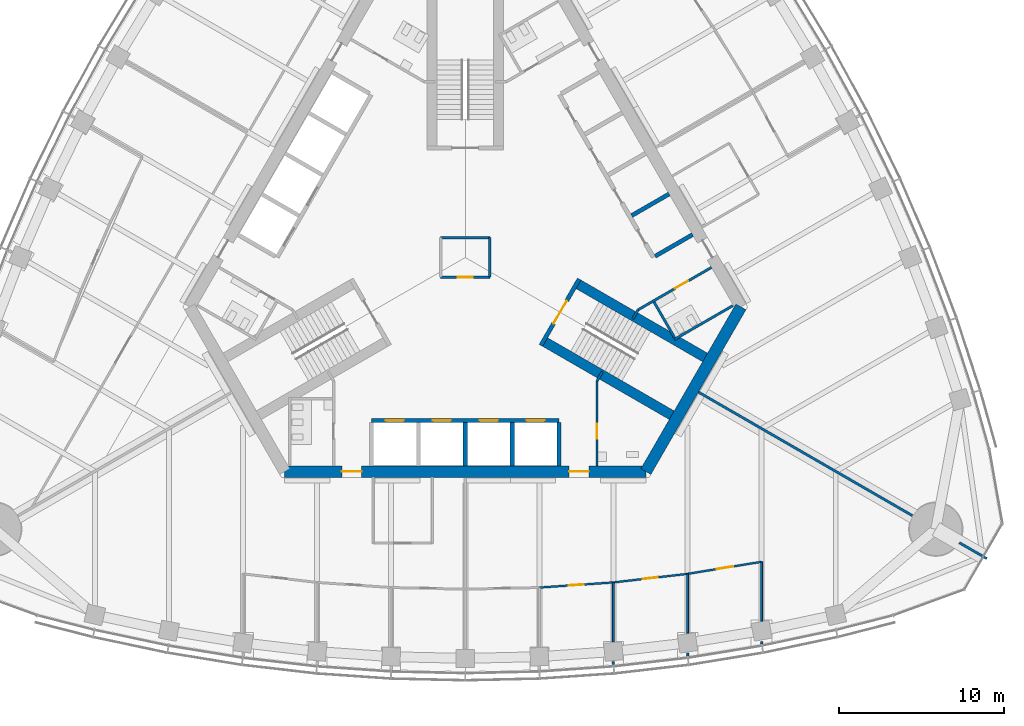
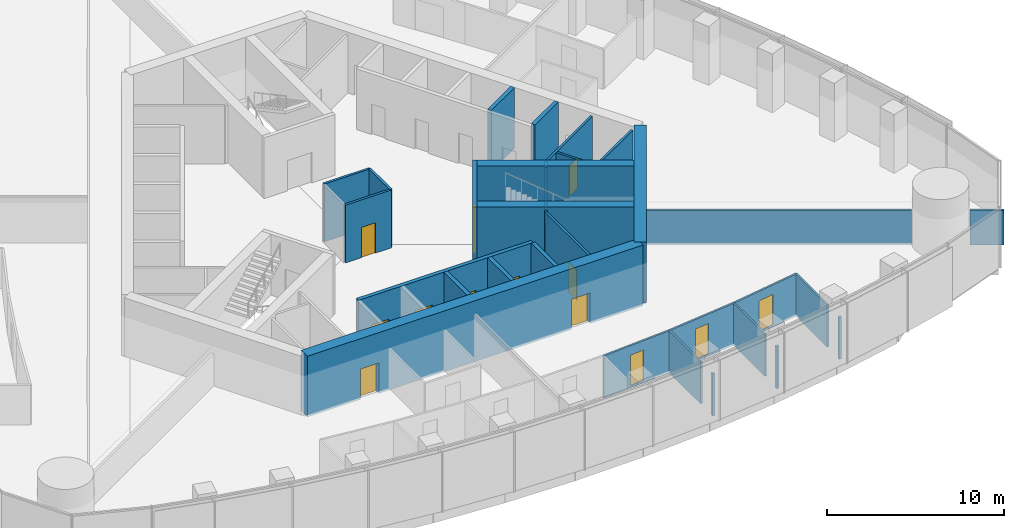
# One storey, part 12 of 19: 31 walls, 13 doors, 13 openings.
"""IFC4 building model written with IfcOpenShell, lengths in metres."""

from ifc_helpers import new_model, si_unit, direction, frame, frame_2d, origin, place, context, subcontext, project, spatial, rectangle, extrude, material, layer, layer_set, type_object, element, fill, save


model = new_model("IFC4")

# Units and contexts
model_context = context("Model", 3, precision=1e-05, world=origin(), true_north=direction((0.0, 1.0)))
body_context = subcontext(model_context, "Body", "Model", "MODEL_VIEW")
ifc_project = project(units=[si_unit("LENGTHUNIT", "METRE"), si_unit("AREAUNIT", "SQUARE_METRE"), si_unit("VOLUMEUNIT", "CUBIC_METRE"), si_unit("PLANEANGLEUNIT", "RADIAN"), si_unit("MASSUNIT", "GRAM", prefix="KILO")], contexts=[model_context])

# Site, building, storey
site_placement = place(None, origin())
site = spatial("IfcSite", under=ifc_project, at=site_placement, CompositionType="ELEMENT")
building_placement = place(site_placement, origin())
building = spatial("IfcBuilding", under=site, at=building_placement, Name="Trefoil Bronze Tower", CompositionType="ELEMENT")
storey_placement = place(building_placement, frame((0.0, 0.0, 223.300048828125)))
storey = spatial("IfcBuildingStorey", under=building, at=storey_placement, Name="L51", CompositionType="ELEMENT", Elevation=223.300048828125)

# Wall, openings, doors
ifc_material_1 = material(Name="Concrete B80", Category="concrete")
ifc_layer_1 = layer(ifc_material_1, 0.699951171875)
ifc_layer_set_1 = layer_set([ifc_layer_1], Name="Core wall 700")
wall_type_1 = type_object("IfcWallType", Name="Core wall 700", PredefinedType="SHEAR", material=ifc_layer_set_1)
wall_1_placement = place(storey_placement, frame((-10.9697265625, -13.0, 0.0), z_axis=(0.0, 0.0, 1.0), x_axis=(1.0, 0.0, 0.0)))
wall_1 = element("IfcWall", 1, at=wall_1_placement, inside=storey, type_object=wall_type_1, Name="Core long wall 1 L51", PredefinedType="SHEAR", context=body_context, shape_type="SweptSolid", body=[
    extrude(rectangle(XDim=21.939453125, YDim=0.699951171875, at=frame_2d((10.9697265625, 0.0))), origin(), (0.0, 0.0, 1.0), 4.199951171875),
])
opening_1_placement = place(wall_1_placement, frame((17.269775390625, 0.0, 0.0)))
opening_1 = element("IfcOpeningElement", 2, at=opening_1_placement, cuts=wall_1, Name="Opening D2", PredefinedType="OPENING", context=body_context, shape_type="SweptSolid", body=[
    extrude(rectangle(XDim=1.199951171875, YDim=2.10009765625, at=frame_2d((0.60009765625, 1.050048828125))), frame((0.0, 0.35986328125, 0.0), z_axis=(0.0, -1.0, 0.0), x_axis=(1.0, 0.0, 0.0)), (0.0, 0.0, 1.0), 0.719970703125),
])
opening_2_placement = place(wall_1_placement, frame((3.4697265625, 0.0, 0.0)))
opening_2 = element("IfcOpeningElement", 3, at=opening_2_placement, cuts=wall_1, Name="Opening D2", PredefinedType="OPENING", context=body_context, shape_type="SweptSolid", body=[
    extrude(rectangle(XDim=1.199951171875, YDim=2.10009765625, at=frame_2d((0.60009765625, 1.050048828125))), frame((0.0, 0.35986328125, 0.0), z_axis=(0.0, -1.0, 0.0), x_axis=(1.0, 0.0, 0.0)), (0.0, 0.0, 1.0), 0.719970703125),
])
ifc_material_2 = material(Name="Steel door", Category="steel")
door_type_1 = type_object("IfcDoorType", Name="Lobby door 1200", OperationType="SINGLE_SWING_RIGHT", PredefinedType="DOOR", material=ifc_material_2)
door_1_placement = place(opening_1_placement, origin())
door_1 = element("IfcDoor", 4, at=door_1_placement, inside=storey, type_object=door_type_1, Name="Lobby door F1+ L51", OperationType="SINGLE_SWING_RIGHT", OverallHeight=2.10009765625, OverallWidth=1.199951171875, PredefinedType="DOOR", context=body_context, shape_type="SweptSolid", body=[
    extrude(rectangle(XDim=1.199951171875, YDim=2.10009765625, at=frame_2d((0.60009765625, 1.050048828125))), frame((0.0, 0.02490234375, 0.0), z_axis=(0.0, -1.0, 0.0), x_axis=(1.0, 0.0, 0.0)), (0.0, 0.0, 1.0), 0.050048828125),
])
fill(opening_1, door_1)
door_2_placement = place(opening_2_placement, origin())
door_2 = element("IfcDoor", 5, at=door_2_placement, inside=storey, type_object=door_type_1, Name="Lobby door F1- L51", OperationType="SINGLE_SWING_LEFT", OverallHeight=2.10009765625, OverallWidth=1.199951171875, PredefinedType="DOOR", context=body_context, shape_type="SweptSolid", body=[
    extrude(rectangle(XDim=1.199951171875, YDim=2.10009765625, at=frame_2d((0.60009765625, 1.050048828125))), frame((0.0, 0.02490234375, 0.0), z_axis=(0.0, -1.0, 0.0), x_axis=(1.0, 0.0, 0.0)), (0.0, 0.0, 1.0), 0.050048828125),
])
fill(opening_2, door_2)

# Wall
wall_2_placement = place(storey_placement, frame((10.9697265625, -13.0, 0.0), z_axis=(0.0, 0.0, 1.0), x_axis=(0.499995765644, 0.866027848477, 0.0)))
element("IfcWall", 6, at=wall_2_placement, inside=storey, type_object=wall_type_1, Name="Core short wall 1 L51", PredefinedType="SHEAR", context=body_context, shape_type="SweptSolid", body=[
    extrude(rectangle(XDim=11.546875, YDim=0.699951171875, at=frame_2d((5.7734375, 0.0))), origin(), (0.0, 0.0, 1.0), 4.199951171875),
])

# Wall, opening, door
ifc_material_3 = material(Name="Glazed partition", Category="glass")
ifc_layer_2 = layer(ifc_material_3, 0.1201171875)
ifc_layer_set_2 = layer_set([ifc_layer_2], Name="Glazed partition 120")
wall_type_2 = type_object("IfcWallType", Name="Glazed partition 120", PredefinedType="PARTITIONING", material=ifc_layer_set_2)
wall_3_placement = place(storey_placement, frame((13.5, -19.216064453125, 0.0), z_axis=(0.0, 0.0, 1.0), x_axis=(0.986986525477, 0.160802980469, 0.0)))
wall_3 = element("IfcWall", 7, at=wall_3_placement, inside=storey, type_object=wall_type_2, Name="Partition F1 L51", PredefinedType="PARTITIONING", context=body_context, shape_type="SweptSolid", body=[
    extrude(rectangle(XDim=4.559326171875, YDim=0.1201171875, at=frame_2d((2.27978515625, 0.0))), origin(), (0.0, 0.0, 1.0), 2.89990234375),
])
opening_3_placement = place(wall_3_placement, frame((1.800048828125, 0.0, 0.14990234375)))
opening_3 = element("IfcOpeningElement", 8, at=opening_3_placement, cuts=wall_3, Name="Opening D9", PredefinedType="OPENING", context=body_context, shape_type="SweptSolid", body=[
    extrude(rectangle(XDim=1.0, YDim=2.10009765625, at=frame_2d((0.5, 1.050048828125))), frame((0.0, 0.070068359375, 0.0), z_axis=(0.0, -1.0, 0.0), x_axis=(1.0, 0.0, 0.0)), (0.0, 0.0, 1.0), 0.14013671875),
])
ifc_material_4 = material(Name="Glazed timber door", Category="wood")
door_type_2 = type_object("IfcDoorType", Name="Meeting room door 1000", OperationType="SINGLE_SWING_LEFT", PredefinedType="DOOR", material=ifc_material_4)
door_3_placement = place(opening_3_placement, frame((1.0, 0.0, 0.0), z_axis=(0.0, 0.0, 1.0), x_axis=(-1.0, 0.0, 0.0)))
door_3 = element("IfcDoor", 9, at=door_3_placement, inside=storey, type_object=door_type_2, Name="Meeting room door F1 L51", OperationType="SINGLE_SWING_LEFT", OverallHeight=2.10009765625, OverallWidth=1.0, PredefinedType="DOOR", context=body_context, shape_type="SweptSolid", body=[
    extrude(rectangle(XDim=1.0, YDim=2.10009765625, at=frame_2d((0.5, 1.050048828125))), frame((0.0, 0.02490234375, 0.0), z_axis=(0.0, -1.0, 0.0), x_axis=(1.0, 0.0, 0.0)), (0.0, 0.0, 1.0), 0.050048828125),
])
fill(opening_3, door_3)

wall_4_placement = place(storey_placement, frame((4.5, -20.047119140625, 0.0), z_axis=(0.0, 0.0, 1.0), x_axis=(0.997623533978, 0.068900540297, 0.0)))
wall_4 = element("IfcWall", 10, at=wall_4_placement, inside=storey, type_object=wall_type_2, Name="Partition F1 L51", PredefinedType="PARTITIONING", context=body_context, shape_type="SweptSolid", body=[
    extrude(rectangle(XDim=4.5107421875, YDim=0.1201171875, at=frame_2d((2.25537109375, 0.0))), origin(), (0.0, 0.0, 1.0), 2.89990234375),
])
opening_4_placement = place(wall_4_placement, frame((1.800048828125, 0.0, 0.14990234375)))
opening_4 = element("IfcOpeningElement", 11, at=opening_4_placement, cuts=wall_4, Name="Opening D8", PredefinedType="OPENING", context=body_context, shape_type="SweptSolid", body=[
    extrude(rectangle(XDim=0.89990234375, YDim=2.10009765625, at=frame_2d((0.449951171875, 1.050048828125))), frame((0.0, 0.070068359375, 0.0), z_axis=(0.0, -1.0, 0.0), x_axis=(1.0, 0.0, 0.0)), (0.0, 0.0, 1.0), 0.14013671875),
])
ifc_material_5 = material(Name="Timber door", Category="wood")
door_type_3 = type_object("IfcDoorType", Name="Office door 900", OperationType="SINGLE_SWING_LEFT", PredefinedType="DOOR", material=ifc_material_5)
door_4_placement = place(opening_4_placement, frame((0.89990234375, 0.0, 0.0), z_axis=(0.0, 0.0, 1.0), x_axis=(-1.0, 0.0, 0.0)))
door_4 = element("IfcDoor", 12, at=door_4_placement, inside=storey, type_object=door_type_3, Name="Office door F1 L51", OperationType="SINGLE_SWING_RIGHT", OverallHeight=2.10009765625, OverallWidth=0.89990234375, PredefinedType="DOOR", context=body_context, shape_type="SweptSolid", body=[
    extrude(rectangle(XDim=0.89990234375, YDim=2.10009765625, at=frame_2d((0.449951171875, 1.050048828125))), frame((0.0, 0.02490234375, 0.0), z_axis=(0.0, -1.0, 0.0), x_axis=(1.0, 0.0, 0.0)), (0.0, 0.0, 1.0), 0.050048828125),
])
fill(opening_4, door_4)

wall_5_placement = place(storey_placement, frame((9.0, -19.736328125, 0.0), z_axis=(0.0, 0.0, 1.0), x_axis=(0.993382946625, 0.114849124309, 0.0)))
wall_5 = element("IfcWall", 13, at=wall_5_placement, inside=storey, type_object=wall_type_2, Name="Partition F1 L51", PredefinedType="PARTITIONING", context=body_context, shape_type="SweptSolid", body=[
    extrude(rectangle(XDim=4.530029296875, YDim=0.1201171875, at=frame_2d((2.26513671875, 0.0))), origin(), (0.0, 0.0, 1.0), 2.89990234375),
])
opening_5_placement = place(wall_5_placement, frame((1.800048828125, 0.0, 0.14990234375)))
opening_5 = element("IfcOpeningElement", 14, at=opening_5_placement, cuts=wall_5, Name="Opening D8", PredefinedType="OPENING", context=body_context, shape_type="SweptSolid", body=[
    extrude(rectangle(XDim=0.89990234375, YDim=2.10009765625, at=frame_2d((0.449951171875, 1.050048828125))), frame((0.0, 0.070068359375, 0.0), z_axis=(0.0, -1.0, 0.0), x_axis=(1.0, 0.0, 0.0)), (0.0, 0.0, 1.0), 0.14013671875),
])
door_5_placement = place(opening_5_placement, frame((0.89990234375, 0.0, 0.0), z_axis=(0.0, 0.0, 1.0), x_axis=(-1.0, 0.0, 0.0)))
door_5 = element("IfcDoor", 15, at=door_5_placement, inside=storey, type_object=door_type_3, Name="Office door F1 L51", OperationType="SINGLE_SWING_RIGHT", OverallHeight=2.10009765625, OverallWidth=0.89990234375, PredefinedType="DOOR", context=body_context, shape_type="SweptSolid", body=[
    extrude(rectangle(XDim=0.89990234375, YDim=2.10009765625, at=frame_2d((0.449951171875, 1.050048828125))), frame((0.0, 0.02490234375, 0.0), z_axis=(0.0, -1.0, 0.0), x_axis=(1.0, 0.0, 0.0)), (0.0, 0.0, 1.0), 0.050048828125),
])
fill(opening_5, door_5)

# Walls
wall_6_placement = place(storey_placement, frame((13.5, -19.216064453125, 0.0), z_axis=(0.0, 0.0, 1.0), x_axis=(0.0, -1.0, 0.0)))
element("IfcWall", 16, at=wall_6_placement, inside=storey, type_object=wall_type_2, Name="Partition F1 L51", PredefinedType="PARTITIONING", context=body_context, shape_type="SweptSolid", body=[
    extrude(rectangle(XDim=3.606689453125, YDim=0.1201171875, at=frame_2d((1.80322265625, 0.0))), origin(), (0.0, 0.0, 1.0), 2.89990234375),
])
wall_7_placement = place(storey_placement, frame((18.0, -18.48291015625, 0.0), z_axis=(0.0, 0.0, 1.0), x_axis=(0.0, -1.0, 0.0)))
element("IfcWall", 17, at=wall_7_placement, inside=storey, type_object=wall_type_2, Name="Partition F1 L51", PredefinedType="PARTITIONING", context=body_context, shape_type="SweptSolid", body=[
    extrude(rectangle(XDim=3.59619140625, YDim=0.1201171875, at=frame_2d((1.798095703125, 0.0))), origin(), (0.0, 0.0, 1.0), 2.89990234375),
])
wall_8_placement = place(storey_placement, frame((9.0, -19.736328125, 0.0), z_axis=(0.0, 0.0, 1.0), x_axis=(0.0, -1.0, 0.0)))
element("IfcWall", 18, at=wall_8_placement, inside=storey, type_object=wall_type_2, Name="Partition F1 L51", PredefinedType="PARTITIONING", context=body_context, shape_type="SweptSolid", body=[
    extrude(rectangle(XDim=3.6142578125, YDim=0.1201171875, at=frame_2d((1.80712890625, 0.0))), origin(), (0.0, 0.0, 1.0), 2.89990234375),
])

# Wall, opening, door
ifc_material_6 = material(Name="Gypsum board on steel studs", Category="steel")
ifc_layer_3 = layer(ifc_material_6, 0.14990234375)
ifc_layer_set_3 = layer_set([ifc_layer_3], Name="Partition 150")
wall_type_3 = type_object("IfcWallType", Name="Partition 150", PredefinedType="PARTITIONING", material=ifc_layer_set_3)
wall_9_placement = place(storey_placement, frame((8.0, -7.5, 0.0), z_axis=(0.0, 0.0, 1.0), x_axis=(0.0, -1.0, 0.0)))
wall_9 = element("IfcWall", 19, at=wall_9_placement, inside=storey, type_object=wall_type_3, Name="Passage wall F1+ L51", PredefinedType="PARTITIONING", context=body_context, shape_type="SweptSolid", body=[
    extrude(rectangle(XDim=5.14990234375, YDim=0.14990234375, at=frame_2d((2.574951171875, 0.0))), origin(), (0.0, 0.0, 1.0), 4.0),
])
opening_6_placement = place(wall_9_placement, frame((2.60009765625, 0.0, 0.0)))
opening_6 = element("IfcOpeningElement", 20, at=opening_6_placement, cuts=wall_9, Name="Opening D3", PredefinedType="OPENING", context=body_context, shape_type="SweptSolid", body=[
    extrude(rectangle(XDim=0.89990234375, YDim=2.10009765625, at=frame_2d((0.449951171875, 1.050048828125))), frame((0.0, 0.0849609375, 0.0), z_axis=(0.0, -1.0, 0.0), x_axis=(1.0, 0.0, 0.0)), (0.0, 0.0, 1.0), 0.169921875),
])
ifc_material_7 = material(Name="Timber door", Category="wood")
door_type_4 = type_object("IfcDoorType", Name="WC door 900", OperationType="SINGLE_SWING_LEFT", PredefinedType="DOOR", material=ifc_material_7)
door_6_placement = place(opening_6_placement, origin())
door_6 = element("IfcDoor", 21, at=door_6_placement, inside=storey, type_object=door_type_4, Name="Accessible WC door L51", OperationType="SINGLE_SWING_RIGHT", OverallHeight=2.10009765625, OverallWidth=0.89990234375, PredefinedType="DOOR", context=body_context, shape_type="SweptSolid", body=[
    extrude(rectangle(XDim=0.89990234375, YDim=2.10009765625, at=frame_2d((0.449951171875, 1.050048828125))), frame((0.0, 0.02490234375, 0.0), z_axis=(0.0, -1.0, 0.0), x_axis=(1.0, 0.0, 0.0)), (0.0, 0.0, 1.0), 0.050048828125),
])
fill(opening_6, door_6)

wall_10_placement = place(storey_placement, frame((10.4951171875, -3.17822265625, 0.0), z_axis=(0.0, 0.0, 1.0), x_axis=(0.866037967349, 0.499978238636, 0.0)))
wall_10 = element("IfcWall", 22, at=wall_10_placement, inside=storey, type_object=wall_type_3, Name="Passage wall F2- L51", PredefinedType="PARTITIONING", context=body_context, shape_type="SweptSolid", body=[
    extrude(rectangle(XDim=5.150146484375, YDim=0.14990234375, at=frame_2d((2.5751953125, 0.0))), origin(), (0.0, 0.0, 1.0), 4.0),
])
opening_7_placement = place(wall_10_placement, frame((2.60009765625, 0.0, 0.0)))
opening_7 = element("IfcOpeningElement", 23, at=opening_7_placement, cuts=wall_10, Name="Opening D3", PredefinedType="OPENING", context=body_context, shape_type="SweptSolid", body=[
    extrude(rectangle(XDim=0.89990234375, YDim=2.10009765625, at=frame_2d((0.449951171875, 1.050048828125))), frame((0.0, 0.0849609375, 0.0), z_axis=(0.0, -1.0, 0.0), x_axis=(1.0, 0.0, 0.0)), (0.0, 0.0, 1.0), 0.169921875),
])
door_7_placement = place(opening_7_placement, frame((0.89990234375, 0.0, 0.0), z_axis=(0.0, 0.0, 1.0), x_axis=(-1.0, 0.0, 0.0)))
door_7 = element("IfcDoor", 24, at=door_7_placement, inside=storey, type_object=door_type_4, Name="WC (women) door L51", OperationType="SINGLE_SWING_RIGHT", OverallHeight=2.10009765625, OverallWidth=0.89990234375, PredefinedType="DOOR", context=body_context, shape_type="SweptSolid", body=[
    extrude(rectangle(XDim=0.89990234375, YDim=2.10009765625, at=frame_2d((0.449951171875, 1.050048828125))), frame((0.0, 0.02490234375, 0.0), z_axis=(0.0, -1.0, 0.0), x_axis=(1.0, 0.0, 0.0)), (0.0, 0.0, 1.0), 0.050048828125),
])
fill(opening_7, door_7)

# Walls
for number, where, z_axis, x_axis, name in (
    (25, (8.0, -7.5, 0.0), (0.0, 0.0, 1.0), (0.499842556608, 0.866116284689, 0.0), "WC wall ST1-1 L51"),
    (26, (10.4951171875, -3.17822265625, 0.0), (0.0, 0.0, 1.0), (-0.499842556608, -0.866116284689, 0.0), "WC wall ST1+1 L51"),
):
    element("IfcWall", number, at=place(storey_placement, frame(where, z_axis=z_axis, x_axis=x_axis)), inside=storey, type_object=wall_type_3, Name=name, PredefinedType="PARTITIONING", context=body_context, shape_type="SweptSolid", body=[
        extrude(rectangle(XDim=0.645263671875, YDim=0.14990234375, at=frame_2d((0.32275390625, 0.0))), origin(), (0.0, 0.0, 1.0), 4.0),
    ])
wall_11_placement = place(storey_placement, frame((12.691162109375, -4.98193359375, 0.0), z_axis=(0.0, 0.0, 1.0), x_axis=(0.8660249478, 0.500000789788, 0.0)))
element("IfcWall", 27, at=wall_11_placement, inside=storey, type_object=wall_type_3, Name="WC partition WC (women) L51", PredefinedType="PARTITIONING", context=body_context, shape_type="SweptSolid", body=[
    extrude(rectangle(XDim=4.10009765625, YDim=0.14990234375, at=frame_2d((2.050048828125, 0.0))), origin(), (0.0, 0.0, 1.0), 4.0),
])
wall_12_placement = place(storey_placement, frame((11.463623046875, -2.70556640625, 0.0), z_axis=(0.0, 0.0, 1.0), x_axis=(0.50001992892, -0.866013897511, 0.0)))
element("IfcWall", 28, at=wall_12_placement, inside=storey, type_object=wall_type_3, Name="WC partition WC (women) L51", PredefinedType="PARTITIONING", context=body_context, shape_type="SweptSolid", body=[
    extrude(rectangle(XDim=2.51025390625, YDim=0.14990234375, at=frame_2d((1.255126953125, 0.0))), origin(), (0.0, 0.0, 1.0), 4.0),
])
wall_13_placement = place(storey_placement, frame((13.5, -24.032958984375, 0.0), z_axis=(0.0, 0.0, 1.0), x_axis=(0.0, -1.0, 0.0)))
element("IfcWall", 29, at=wall_13_placement, inside=storey, type_object=wall_type_3, Name="Partition F1 L51", PredefinedType="PARTITIONING", context=body_context, shape_type="SweptSolid", body=[
    extrude(rectangle(XDim=0.17822265625, YDim=0.14990234375, at=frame_2d((0.089111328125, 0.0))), origin(), (0.0, 0.0, 1.0), 2.89990234375),
])
wall_14_placement = place(storey_placement, frame((18.0, -23.31494140625, 0.0), z_axis=(0.0, 0.0, 1.0), x_axis=(0.0, -1.0, 0.0)))
element("IfcWall", 30, at=wall_14_placement, inside=storey, type_object=wall_type_3, Name="Partition F1 L51", PredefinedType="PARTITIONING", context=body_context, shape_type="SweptSolid", body=[
    extrude(rectangle(XDim=0.1630859375, YDim=0.14990234375, at=frame_2d((0.08154296875, 0.0))), origin(), (0.0, 0.0, 1.0), 2.89990234375),
])
wall_15_placement = place(storey_placement, frame((9.0, -24.535400390625, 0.0), z_axis=(0.0, 0.0, 1.0), x_axis=(0.0, -1.0, 0.0)))
element("IfcWall", 31, at=wall_15_placement, inside=storey, type_object=wall_type_3, Name="Partition F1 L51", PredefinedType="PARTITIONING", context=body_context, shape_type="SweptSolid", body=[
    extrude(rectangle(XDim=0.196044921875, YDim=0.14990234375, at=frame_2d((0.09814453125, 0.0))), origin(), (0.0, 0.0, 1.0), 2.89990234375),
])
ifc_material_8 = material(Name="Gypsum board on steel studs", Category="steel")
ifc_layer_4 = layer(ifc_material_8, 0.14990234375)
ifc_layer_set_4 = layer_set([ifc_layer_4], Name="Party wall 150")
wall_type_4 = type_object("IfcWallType", Name="Party wall 150", PredefinedType="PARTITIONING", material=ifc_layer_set_4)
wall_16_placement = place(storey_placement, frame((14.159423828125, -8.175048828125, 0.0), z_axis=(0.0, 0.0, 1.0), x_axis=(0.866027028085, -0.499997186618, 0.0)))
element("IfcWall", 32, at=wall_16_placement, inside=storey, type_object=wall_type_4, Name="Party wall K1 L51", PredefinedType="PARTITIONING", context=body_context, shape_type="SweptSolid", body=[
    extrude(rectangle(XDim=15.0, YDim=0.14990234375, at=frame_2d((7.5, 0.0))), origin(), (0.0, 0.0, 1.0), 2.39990234375),
])
wall_17_placement = place(storey_placement, frame((30.0078125, -17.324951171875, 0.0), z_axis=(0.0, 0.0, 1.0), x_axis=(0.866013246922, -0.500021055713, 0.0)))
element("IfcWall", 33, at=wall_17_placement, inside=storey, type_object=wall_type_4, Name="Party wall K1 L51", PredefinedType="PARTITIONING", context=body_context, shape_type="SweptSolid", body=[
    extrude(rectangle(XDim=1.9345703125, YDim=0.14990234375, at=frame_2d((0.96728515625, 0.0))), origin(), (0.0, 0.0, 1.0), 2.39990234375),
])

# Wall, opening, door
ifc_material_9 = material(Name="Gypsum board on steel studs", Category="steel")
ifc_layer_5 = layer(ifc_material_9, 0.14990234375)
ifc_layer_set_5 = layer_set([ifc_layer_5], Name="Riser wall 150")
wall_type_5 = type_object("IfcWallType", Name="Riser wall 150", PredefinedType="PARTITIONING", material=ifc_layer_set_5)
wall_18_placement = place(storey_placement, frame((-1.5, -1.199951171875, 0.0), z_axis=(0.0, 0.0, 1.0), x_axis=(1.0, 0.0, 0.0)))
wall_18 = element("IfcWall", 34, at=wall_18_placement, inside=storey, type_object=wall_type_5, Name="Riser wall L51", PredefinedType="PARTITIONING", context=body_context, shape_type="SweptSolid", body=[
    extrude(rectangle(XDim=3.0, YDim=0.14990234375, at=frame_2d((1.5, 0.0))), origin(), (0.0, 0.0, 1.0), 4.0),
])
opening_8_placement = place(wall_18_placement, frame((1.050048828125, 0.0, 0.0)))
opening_8 = element("IfcOpeningElement", 35, at=opening_8_placement, cuts=wall_18, Name="Opening D4", PredefinedType="OPENING", context=body_context, shape_type="SweptSolid", body=[
    extrude(rectangle(XDim=0.89990234375, YDim=2.10009765625, at=frame_2d((0.449951171875, 1.050048828125))), frame((0.0, 0.0849609375, 0.0), z_axis=(0.0, -1.0, 0.0), x_axis=(1.0, 0.0, 0.0)), (0.0, 0.0, 1.0), 0.169921875),
])
ifc_material_10 = material(Name="Steel door", Category="steel")
door_type_5 = type_object("IfcDoorType", Name="Riser door 900", OperationType="SINGLE_SWING_LEFT", PredefinedType="DOOR", material=ifc_material_10)
door_8_placement = place(opening_8_placement, frame((0.89990234375, 0.0, 0.0), z_axis=(0.0, 0.0, 1.0), x_axis=(-1.0, 0.0, 0.0)))
door_8 = element("IfcDoor", 36, at=door_8_placement, inside=storey, type_object=door_type_5, Name="Riser door L51", OperationType="SINGLE_SWING_LEFT", OverallHeight=2.10009765625, OverallWidth=0.89990234375, PredefinedType="DOOR", context=body_context, shape_type="SweptSolid", body=[
    extrude(rectangle(XDim=0.89990234375, YDim=2.10009765625, at=frame_2d((0.449951171875, 1.050048828125))), frame((0.0, 0.02490234375, 0.0), z_axis=(0.0, -1.0, 0.0), x_axis=(1.0, 0.0, 0.0)), (0.0, 0.0, 1.0), 0.050048828125),
])
fill(opening_8, door_8)

# Walls
wall_19_placement = place(storey_placement, frame((1.5, -1.199951171875, 0.0), z_axis=(0.0, 0.0, 1.0), x_axis=(0.0, 1.0, 0.0)))
element("IfcWall", 37, at=wall_19_placement, inside=storey, type_object=wall_type_5, Name="Riser wall L51", PredefinedType="PARTITIONING", context=body_context, shape_type="SweptSolid", body=[
    extrude(rectangle(XDim=2.39990234375, YDim=0.14990234375, at=frame_2d((1.199951171875, 0.0))), origin(), (0.0, 0.0, 1.0), 4.0),
])
wall_20_placement = place(storey_placement, frame((1.5, 1.199951171875, 0.0), z_axis=(0.0, 0.0, 1.0), x_axis=(-1.0, 0.0, 0.0)))
element("IfcWall", 38, at=wall_20_placement, inside=storey, type_object=wall_type_5, Name="Riser wall L51", PredefinedType="PARTITIONING", context=body_context, shape_type="SweptSolid", body=[
    extrude(rectangle(XDim=3.0, YDim=0.14990234375, at=frame_2d((1.5, 0.0))), origin(), (0.0, 0.0, 1.0), 4.0),
])

# Wall, openings, doors
ifc_material_11 = material(Name="Concrete B80", Category="concrete")
ifc_layer_6 = layer(ifc_material_11, 0.25)
ifc_layer_set_6 = layer_set([ifc_layer_6], Name="Shaft wall 250")
wall_type_6 = type_object("IfcWallType", Name="Shaft wall 250", PredefinedType="SHEAR", material=ifc_layer_set_6)
wall_21_placement = place(storey_placement, frame((-5.699951171875, -9.89990234375, 0.0), z_axis=(0.0, 0.0, 1.0), x_axis=(1.0, 0.0, 0.0)))
wall_21 = element("IfcWall", 39, at=wall_21_placement, inside=storey, type_object=wall_type_6, Name="Lift shaft front wall A L51", PredefinedType="SHEAR", context=body_context, shape_type="SweptSolid", body=[
    extrude(rectangle(XDim=11.39990234375, YDim=0.25, at=frame_2d((5.699951171875, 0.0))), origin(), (0.0, 0.0, 1.0), 4.199951171875),
])
opening_9_placement = place(wall_21_placement, frame((0.875, 0.0, 0.0)))
opening_9 = element("IfcOpeningElement", 40, at=opening_9_placement, cuts=wall_21, Name="Opening LD-P31", PredefinedType="OPENING", context=body_context, shape_type="SweptSolid", body=[
    extrude(rectangle(XDim=1.10009765625, YDim=2.199951171875, at=frame_2d((0.550048828125, 1.10009765625))), frame((0.0, 0.135009765625, 0.0), z_axis=(0.0, -1.0, 0.0), x_axis=(1.0, 0.0, 0.0)), (0.0, 0.0, 1.0), 0.27001953125),
])
opening_10_placement = place(wall_21_placement, frame((3.72509765625, 0.0, 0.0)))
opening_10 = element("IfcOpeningElement", 41, at=opening_10_placement, cuts=wall_21, Name="Opening LD-P32", PredefinedType="OPENING", context=body_context, shape_type="SweptSolid", body=[
    extrude(rectangle(XDim=1.10009765625, YDim=2.199951171875, at=frame_2d((0.550048828125, 1.10009765625))), frame((0.0, 0.135009765625, 0.0), z_axis=(0.0, -1.0, 0.0), x_axis=(1.0, 0.0, 0.0)), (0.0, 0.0, 1.0), 0.27001953125),
])
opening_11_placement = place(wall_21_placement, frame((6.574951171875, 0.0, 0.0)))
opening_11 = element("IfcOpeningElement", 42, at=opening_11_placement, cuts=wall_21, Name="Opening LD-P33", PredefinedType="OPENING", context=body_context, shape_type="SweptSolid", body=[
    extrude(rectangle(XDim=1.10009765625, YDim=2.199951171875, at=frame_2d((0.550048828125, 1.10009765625))), frame((0.0, 0.135009765625, 0.0), z_axis=(0.0, -1.0, 0.0), x_axis=(1.0, 0.0, 0.0)), (0.0, 0.0, 1.0), 0.27001953125),
])
opening_12_placement = place(wall_21_placement, frame((9.425048828125, 0.0, 0.0)))
opening_12 = element("IfcOpeningElement", 43, at=opening_12_placement, cuts=wall_21, Name="Opening LD-P34", PredefinedType="OPENING", context=body_context, shape_type="SweptSolid", body=[
    extrude(rectangle(XDim=1.10009765625, YDim=2.199951171875, at=frame_2d((0.550048828125, 1.10009765625))), frame((0.0, 0.135009765625, 0.0), z_axis=(0.0, -1.0, 0.0), x_axis=(1.0, 0.0, 0.0)), (0.0, 0.0, 1.0), 0.27001953125),
])
ifc_material_12 = material(Name="Steel door", Category="steel")
door_type_6 = type_object("IfcDoorType", Name="Lift landing door 1100", OperationType="DOUBLE_DOOR_SLIDING", PredefinedType="DOOR", material=ifc_material_12)
door_9_placement = place(opening_9_placement, origin())
door_9 = element("IfcDoor", 44, at=door_9_placement, inside=storey, type_object=door_type_6, Name="Lift P31 landing door L51", OperationType="DOUBLE_DOOR_SLIDING", OverallHeight=2.199951171875, OverallWidth=1.10009765625, PredefinedType="DOOR", context=body_context, shape_type="SweptSolid", body=[
    extrude(rectangle(XDim=1.10009765625, YDim=2.199951171875, at=frame_2d((0.550048828125, 1.10009765625))), frame((0.0, 0.02490234375, 0.0), z_axis=(0.0, -1.0, 0.0), x_axis=(1.0, 0.0, 0.0)), (0.0, 0.0, 1.0), 0.050048828125),
])
fill(opening_9, door_9)
door_10_placement = place(opening_10_placement, origin())
door_10 = element("IfcDoor", 45, at=door_10_placement, inside=storey, type_object=door_type_6, Name="Lift P32 landing door L51", OperationType="DOUBLE_DOOR_SLIDING", OverallHeight=2.199951171875, OverallWidth=1.10009765625, PredefinedType="DOOR", context=body_context, shape_type="SweptSolid", body=[
    extrude(rectangle(XDim=1.10009765625, YDim=2.199951171875, at=frame_2d((0.550048828125, 1.10009765625))), frame((0.0, 0.02490234375, 0.0), z_axis=(0.0, -1.0, 0.0), x_axis=(1.0, 0.0, 0.0)), (0.0, 0.0, 1.0), 0.050048828125),
])
fill(opening_10, door_10)
door_11_placement = place(opening_11_placement, origin())
door_11 = element("IfcDoor", 46, at=door_11_placement, inside=storey, type_object=door_type_6, Name="Lift P33 landing door L51", OperationType="DOUBLE_DOOR_SLIDING", OverallHeight=2.199951171875, OverallWidth=1.10009765625, PredefinedType="DOOR", context=body_context, shape_type="SweptSolid", body=[
    extrude(rectangle(XDim=1.10009765625, YDim=2.199951171875, at=frame_2d((0.550048828125, 1.10009765625))), frame((0.0, 0.02490234375, 0.0), z_axis=(0.0, -1.0, 0.0), x_axis=(1.0, 0.0, 0.0)), (0.0, 0.0, 1.0), 0.050048828125),
])
fill(opening_11, door_11)
door_12_placement = place(opening_12_placement, origin())
door_12 = element("IfcDoor", 47, at=door_12_placement, inside=storey, type_object=door_type_6, Name="Lift P34 landing door L51", OperationType="DOUBLE_DOOR_SLIDING", OverallHeight=2.199951171875, OverallWidth=1.10009765625, PredefinedType="DOOR", context=body_context, shape_type="SweptSolid", body=[
    extrude(rectangle(XDim=1.10009765625, YDim=2.199951171875, at=frame_2d((0.550048828125, 1.10009765625))), frame((0.0, 0.02490234375, 0.0), z_axis=(0.0, -1.0, 0.0), x_axis=(1.0, 0.0, 0.0)), (0.0, 0.0, 1.0), 0.050048828125),
])
fill(opening_12, door_12)

# Walls
for number, where, z_axis, x_axis, name in (
    (48, (0.0, -10.02490234375, 0.0), (0.0, 0.0, 1.0), (0.0, -1.0, 0.0), "Lift shaft side wall A2 L51"),
    (49, (2.85009765625, -10.02490234375, 0.0), (0.0, 0.0, 1.0), (0.0, -1.0, 0.0), "Lift shaft side wall A3 L51"),
    (50, (5.699951171875, -10.02490234375, 0.0), (0.0, 0.0, 1.0), (0.0, -1.0, 0.0), "Lift shaft side wall A4 L51"),
    (51, (11.531982421875, 0.076171875, 0.0), (0.0, 0.0, 1.0), (0.866013657776, 0.500020344131, 0.0), "Lift shaft side wall B0 L51"),
    (52, (10.10693359375, 2.54443359375, 0.0), (0.0, 0.0, 1.0), (0.866013657776, 0.500020344131, 0.0), "Lift shaft side wall B1 L51"),
):
    element("IfcWall", number, at=place(storey_placement, frame(where, z_axis=z_axis, x_axis=x_axis)), inside=storey, type_object=wall_type_6, Name=name, PredefinedType="SHEAR", context=body_context, shape_type="SweptSolid", body=[
        extrude(rectangle(XDim=2.625, YDim=0.25, at=frame_2d((1.3125, 0.0))), origin(), (0.0, 0.0, 1.0), 4.199951171875),
    ])

# Wall, opening, door
wall_22_placement = place(storey_placement, frame((4.5966796875, -5.338623046875, 0.0), z_axis=(0.0, 0.0, 1.0), x_axis=(0.499984536904, 0.866034331223, 0.0)))
wall_22 = element("IfcWall", 53, at=wall_22_placement, inside=storey, type_object=wall_type_6, Name="Stair end wall ST1 L51", PredefinedType="SHEAR", context=body_context, shape_type="SweptSolid", body=[
    extrude(rectangle(XDim=4.650146484375, YDim=0.25, at=frame_2d((2.3251953125, 0.0))), origin(), (0.0, 0.0, 1.0), 4.199951171875),
])
opening_13_placement = place(wall_22_placement, frame((1.52490234375, 0.0, 0.0)))
opening_13 = element("IfcOpeningElement", 54, at=opening_13_placement, cuts=wall_22, Name="Opening D1", PredefinedType="OPENING", context=body_context, shape_type="SweptSolid", body=[
    extrude(rectangle(XDim=1.60009765625, YDim=2.10009765625, at=frame_2d((0.800048828125, 1.050048828125))), frame((0.0, 0.135009765625, 0.0), z_axis=(0.0, -1.0, 0.0), x_axis=(1.0, 0.0, 0.0)), (0.0, 0.0, 1.0), 0.27001953125),
])
ifc_material_13 = material(Name="Steel door", Category="steel")
door_type_7 = type_object("IfcDoorType", Name="Stair door 1600", OperationType="DOUBLE_DOOR_SINGLE_SWING", PredefinedType="DOOR", material=ifc_material_13)
door_13_placement = place(opening_13_placement, frame((1.60009765625, 0.0, 0.0), z_axis=(0.0, 0.0, 1.0), x_axis=(-1.0, 0.0, 0.0)))
door_13 = element("IfcDoor", 55, at=door_13_placement, inside=storey, type_object=door_type_7, Name="Stair door ST1 L51", OperationType="DOUBLE_DOOR_SINGLE_SWING", OverallHeight=2.10009765625, OverallWidth=1.60009765625, PredefinedType="DOOR", context=body_context, shape_type="SweptSolid", body=[
    extrude(rectangle(XDim=1.60009765625, YDim=2.10009765625, at=frame_2d((0.800048828125, 1.050048828125))), frame((0.0, 0.02490234375, 0.0), z_axis=(0.0, -1.0, 0.0), x_axis=(1.0, 0.0, 0.0)), (0.0, 0.0, 1.0), 0.050048828125),
])
fill(opening_13, door_13)

# Walls
ifc_material_14 = material(Name="Concrete B80", Category="concrete")
ifc_layer_7 = layer(ifc_material_14, 0.60009765625)
ifc_layer_set_7 = layer_set([ifc_layer_7], Name="Stair wall 600")
wall_type_7 = type_object("IfcWallType", Name="Stair wall 600", PredefinedType="SHEAR", material=ifc_layer_set_7)
for number, where, z_axis, x_axis, name in (
    (56, (4.638427734375, -5.01611328125, 0.0), (0.0, 0.0, 1.0), (0.866021621257, -0.500006551472, 0.0), "Stair wall ST1 L51"),
    (57, (6.663330078125, -1.5087890625, 0.0), (0.0, 0.0, 1.0), (0.866028310072, -0.499994966129, 0.0), "Stair wall ST1 L51"),
):
    element("IfcWall", number, at=place(storey_placement, frame(where, z_axis=z_axis, x_axis=x_axis)), inside=storey, type_object=wall_type_7, Name=name, PredefinedType="SHEAR", context=body_context, shape_type="SweptSolid", body=[
        extrude(rectangle(XDim=9.125, YDim=0.60009765625, at=frame_2d((4.5625, 0.0))), origin(), (0.0, 0.0, 1.0), 4.199951171875),
    ])

save(model, "model.ifc")
